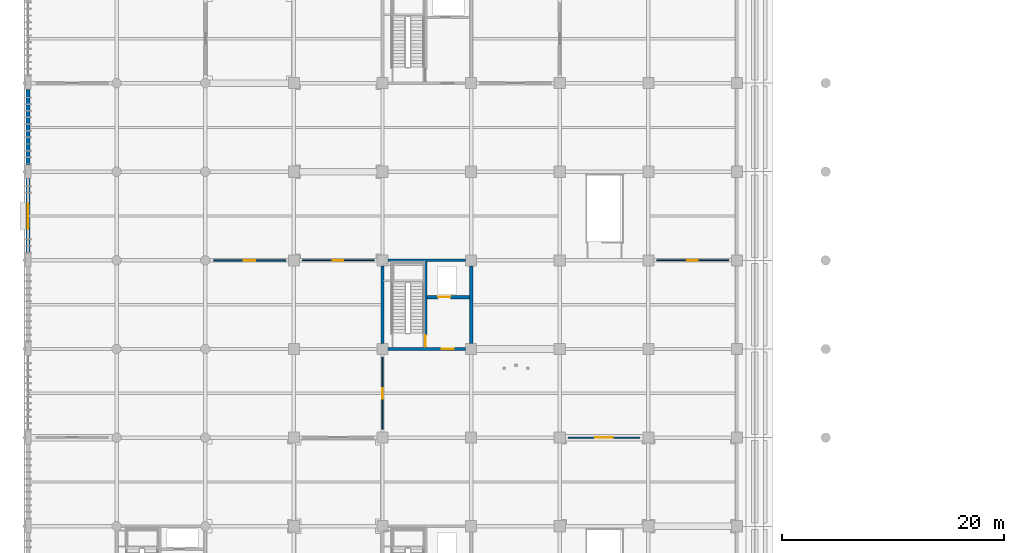
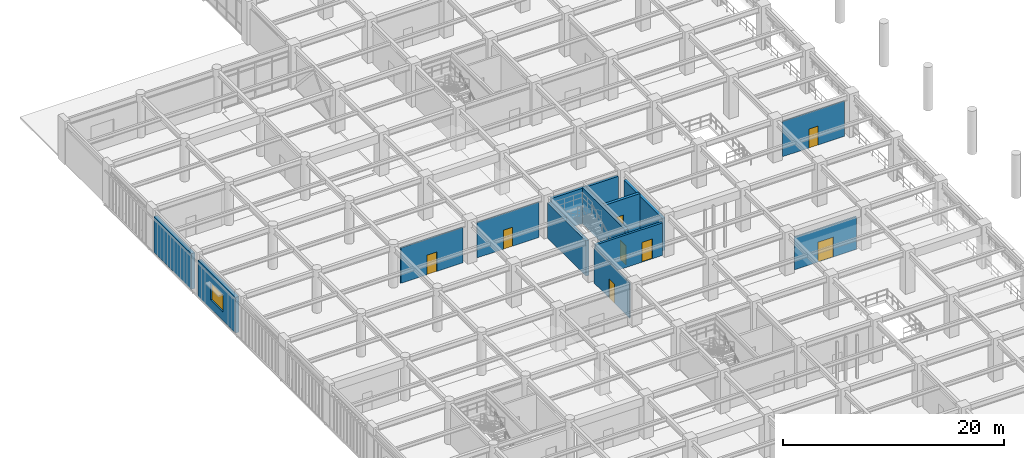
# One storey, part 75 of 117: 13 walls, 8 doors, 1 window, 9 openings.
"""IFC4 building model written with IfcOpenShell, lengths in metres."""

from ifc_helpers import new_model, si_unit, direction, frame, frame_2d, origin, place, context, subcontext, project, spatial, rectangle, extrude, material, layer, layer_set, type_object, element, fill, save


model = new_model("IFC4")

# Units and contexts
model_context = context("Model", 3, precision=1e-05, world=origin(), true_north=direction((0.0, 1.0)))
body_context = subcontext(model_context, "Body", "Model", "MODEL_VIEW")
ifc_project = project(units=[si_unit("LENGTHUNIT", "METRE"), si_unit("AREAUNIT", "SQUARE_METRE"), si_unit("VOLUMEUNIT", "CUBIC_METRE"), si_unit("PLANEANGLEUNIT", "RADIAN"), si_unit("MASSUNIT", "GRAM", prefix="KILO")], contexts=[model_context])

# Site, building, storey
site_placement = place(None, origin())
site = spatial("IfcSite", under=ifc_project, at=site_placement, CompositionType="ELEMENT")
building_placement = place(site_placement, origin())
building = spatial("IfcBuilding", under=site, at=building_placement, Name="Haebicheon Civic Stadium", CompositionType="ELEMENT")
storey_placement = place(building_placement, frame((0.0, 0.0, 4.800048828125)))
storey = spatial("IfcBuildingStorey", under=building, at=storey_placement, Name="L02", CompositionType="ELEMENT", Elevation=4.800048828125)

# Wall, opening, door
ifc_material_1 = material(Name="Concrete C40/50", Category="concrete")
ifc_layer_1 = layer(ifc_material_1, 0.239990234375, Name="Concrete C40/50")
ifc_layer_set_1 = layer_set([ifc_layer_1], Name="Concrete C40/50")
wall_type_1 = type_object("IfcWallType", Name="CW-SHR-240", PredefinedType="SHEAR", material=ifc_layer_set_1)
wall_1_placement = place(storey_placement, frame((32.5, 104.0, 0.0), z_axis=(0.0, 0.0, 1.0), x_axis=(1.0, 0.0, 0.0)))
wall_1 = element("IfcWall", 1, at=wall_1_placement, inside=storey, type_object=wall_type_1, material=ifc_layer_set_1, Name="KC-04 L02 south core shear wall", PredefinedType="SHEAR", context=body_context, shape_type="SweptSolid", body=[
    extrude(rectangle(XDim=7.0, YDim=0.239990234375, at=frame_2d((3.5, 0.0))), origin(), (0.0, 0.0, 1.0), 3.60986328125),
])
opening_1_placement = place(wall_1_placement, frame((4.85009765625, 0.0, 0.0)))
opening_1 = element("IfcOpeningElement", 2, at=opening_1_placement, cuts=wall_1, Name="Opening D-L02-KC-04-LOB", PredefinedType="OPENING", context=body_context, shape_type="SweptSolid", body=[
    extrude(rectangle(XDim=1.10009765625, YDim=2.199951171875, at=frame_2d((0.550048828125, 1.10009765625))), frame((0.0, 0.1298828125, 0.0), z_axis=(0.0, -1.0, 0.0), x_axis=(1.0, 0.0, 0.0)), (0.0, 0.0, 1.0), 0.260009765625),
])
ifc_material_2 = material(Name="Galvanised painted steel SM355", Category="steel")
door_type_1 = type_object("IfcDoorType", Name="ID-FD-1100", OperationType="NOTDEFINED", PredefinedType="DOOR", material=ifc_material_2)
door_1_placement = place(opening_1_placement, origin())
door_1 = element("IfcDoor", 3, at=door_1_placement, inside=storey, type_object=door_type_1, material=ifc_material_2, Name="L02 KC-04 lobby fire door", OperationType="SINGLE_SWING_RIGHT", OverallHeight=2.199951171875, OverallWidth=1.10009765625, PredefinedType="DOOR", context=body_context, shape_type="SweptSolid", body=[
    extrude(rectangle(XDim=1.10009765625, YDim=2.199951171875, at=frame_2d((0.550048828125, 1.10009765625))), frame((0.0, 0.02490234375, 0.0), z_axis=(0.0, -1.0, 0.0), x_axis=(1.0, 0.0, 0.0)), (0.0, 0.0, 1.0), 0.050048828125),
])
fill(opening_1, door_1)

# Walls
wall_2_placement = place(storey_placement, frame((32.5, 112.0, 0.0), z_axis=(0.0, 0.0, 1.0), x_axis=(1.0, 0.0, 0.0)))
element("IfcWall", 4, at=wall_2_placement, inside=storey, type_object=wall_type_1, material=ifc_layer_set_1, Name="KC-04 L02 north core shear wall", PredefinedType="SHEAR", context=body_context, shape_type="SweptSolid", body=[
    extrude(rectangle(XDim=7.0, YDim=0.239990234375, at=frame_2d((3.5, 0.0))), origin(), (0.0, 0.0, 1.0), 3.909912109375),
])
ifc_material_3 = material(Name="Concrete C40/50", Category="concrete")
ifc_layer_2 = layer(ifc_material_3, 0.300048828125, Name="Concrete C40/50")
ifc_layer_set_2 = layer_set([ifc_layer_2], Name="Concrete C40/50")
wall_type_2 = type_object("IfcWallType", Name="CW-SHR-300", PredefinedType="SHEAR", material=ifc_layer_set_2)
wall_3_placement = place(storey_placement, frame((32.0, 104.5, 0.0), z_axis=(0.0, 0.0, 1.0), x_axis=(0.0, 1.0, 0.0)))
element("IfcWall", 5, at=wall_3_placement, inside=storey, type_object=wall_type_2, material=ifc_layer_set_2, Name="KC-04 L02 west core shear wall", PredefinedType="SHEAR", context=body_context, shape_type="SweptSolid", body=[
    extrude(rectangle(XDim=7.0, YDim=0.300048828125, at=frame_2d((3.5, 0.0))), origin(), (0.0, 0.0, 1.0), 3.909912109375),
])
wall_4_placement = place(storey_placement, frame((40.0, 104.5, 0.0), z_axis=(0.0, 0.0, 1.0), x_axis=(0.0, 1.0, 0.0)))
element("IfcWall", 6, at=wall_4_placement, inside=storey, type_object=wall_type_2, material=ifc_layer_set_2, Name="KC-04 L02 east core shear wall", PredefinedType="SHEAR", context=body_context, shape_type="SweptSolid", body=[
    extrude(rectangle(XDim=7.0, YDim=0.300048828125, at=frame_2d((3.5, 0.0))), origin(), (0.0, 0.0, 1.0), 3.60986328125),
])

# Wall, opening, door
wall_5_placement = place(storey_placement, frame((35.8798828125, 104.1201171875, 0.0), z_axis=(0.0, 0.0, 1.0), x_axis=(0.0, 1.0, 0.0)))
wall_5 = element("IfcWall", 7, at=wall_5_placement, inside=storey, type_object=wall_type_2, material=ifc_layer_set_2, Name="KC-04 L02 stair-lobby dividing shear wall", PredefinedType="SHEAR", context=body_context, shape_type="SweptSolid", body=[
    extrude(rectangle(XDim=7.759765625, YDim=0.300048828125, at=frame_2d((3.8798828125, 0.0))), origin(), (0.0, 0.0, 1.0), 4.010009765625),
])
opening_2_placement = place(wall_5_placement, frame((0.080078125, 0.0, 0.0)))
opening_2 = element("IfcOpeningElement", 8, at=opening_2_placement, cuts=wall_5, Name="Opening D-L02-KC-04-STR", PredefinedType="OPENING", context=body_context, shape_type="SweptSolid", body=[
    extrude(rectangle(XDim=1.050048828125, YDim=2.14990234375, at=frame_2d((0.52490234375, 1.074951171875))), frame((0.0, 0.159912109375, 0.0), z_axis=(0.0, -1.0, 0.0), x_axis=(1.0, 0.0, 0.0)), (0.0, 0.0, 1.0), 0.320068359375),
])
ifc_material_4 = material(Name="Galvanised painted steel SM355", Category="steel")
door_type_2 = type_object("IfcDoorType", Name="ID-FD-1050", OperationType="NOTDEFINED", PredefinedType="DOOR", material=ifc_material_4)
door_2_placement = place(opening_2_placement, origin())
door_2 = element("IfcDoor", 9, at=door_2_placement, inside=storey, type_object=door_type_2, material=ifc_material_4, Name="L02 ST-04 stairwell escape door", OperationType="SINGLE_SWING_LEFT", OverallHeight=2.14990234375, OverallWidth=1.050048828125, PredefinedType="DOOR", context=body_context, shape_type="SweptSolid", body=[
    extrude(rectangle(XDim=1.050048828125, YDim=2.14990234375, at=frame_2d((0.52490234375, 1.074951171875))), frame((0.0, 0.02490234375, 0.0), z_axis=(0.0, -1.0, 0.0), x_axis=(1.0, 0.0, 0.0)), (0.0, 0.0, 1.0), 0.050048828125),
])
fill(opening_2, door_2)

wall_6_placement = place(storey_placement, frame((36.030029296875, 108.679931640625, 0.0), z_axis=(0.0, 0.0, 1.0), x_axis=(1.0, 0.0, 0.0)))
wall_6 = element("IfcWall", 10, at=wall_6_placement, inside=storey, type_object=wall_type_2, material=ifc_layer_set_2, Name="KC-04 L02 lift shaft front wall", PredefinedType="SHEAR", context=body_context, shape_type="SweptSolid", body=[
    extrude(rectangle(XDim=3.820068359375, YDim=0.300048828125, at=frame_2d((1.91015625, 0.0))), origin(), (0.0, 0.0, 1.0), 3.909912109375),
])
opening_3_placement = place(wall_6_placement, frame((1.0, 0.0, 0.0)))
opening_3 = element("IfcOpeningElement", 11, at=opening_3_placement, cuts=wall_6, Name="Opening LD-04-L02", PredefinedType="OPENING", context=body_context, shape_type="SweptSolid", body=[
    extrude(rectangle(XDim=1.10009765625, YDim=2.14990234375, at=frame_2d((0.550048828125, 1.074951171875))), frame((0.0, 0.159912109375, 0.0), z_axis=(0.0, -1.0, 0.0), x_axis=(1.0, 0.0, 0.0)), (0.0, 0.0, 1.0), 0.320068359375),
])
ifc_material_5 = material(Name="Stainless steel 316", Category="steel")
door_type_3 = type_object("IfcDoorType", Name="ID-LD-1100", OperationType="NOTDEFINED", PredefinedType="DOOR", material=ifc_material_5)
door_3_placement = place(opening_3_placement, origin())
door_3 = element("IfcDoor", 12, at=door_3_placement, inside=storey, type_object=door_type_3, material=ifc_material_5, Name="LF-04 lift landing sliding door L02", OperationType="SLIDING_TO_LEFT", OverallHeight=2.14990234375, OverallWidth=1.10009765625, PredefinedType="DOOR", context=body_context, shape_type="SweptSolid", body=[
    extrude(rectangle(XDim=1.10009765625, YDim=2.14990234375, at=frame_2d((0.550048828125, 1.074951171875))), frame((0.0, 0.02490234375, 0.0), z_axis=(0.0, -1.0, 0.0), x_axis=(1.0, 0.0, 0.0)), (0.0, 0.0, 1.0), 0.050048828125),
])
fill(opening_3, door_3)

# Wall, opening, window
ifc_material_6 = material(Name="Concrete C40/50", Category="concrete")
ifc_layer_3 = layer(ifc_material_6, 0.3798828125, Name="Concrete C40/50")
ifc_layer_set_3 = layer_set([ifc_layer_3], Name="Concrete C40/50")
wall_type_3 = type_object("IfcWallType", Name="EW-BM-380", PredefinedType="SOLIDWALL", material=ifc_layer_set_3)
wall_7_placement = place(storey_placement, frame((0.0, 112.60009765625, 0.0), z_axis=(0.0, 0.0, 1.0), x_axis=(0.0, 1.0, 0.0)))
wall_7 = element("IfcWall", 13, at=wall_7_placement, inside=storey, type_object=wall_type_3, material=ifc_layer_set_3, Name="L02 board-marked concrete facade wall 00-14-W", PredefinedType="SOLIDWALL", context=body_context, shape_type="SweptSolid", body=[
    extrude(rectangle(XDim=6.7998046875, YDim=0.3798828125, at=frame_2d((3.39990234375, 0.0))), origin(), (0.0, 0.0, 1.0), 3.949951171875),
])
opening_4_placement = place(wall_7_placement, frame((2.27490234375, 0.0, 0.949951171875)))
opening_4 = element("IfcOpeningElement", 14, at=opening_4_placement, cuts=wall_7, Name="Opening WIN-225x190", PredefinedType="OPENING", context=body_context, shape_type="SweptSolid", body=[
    extrude(rectangle(XDim=2.25, YDim=1.89990234375, at=frame_2d((1.125, 0.949951171875))), frame((0.0, 0.199951171875, 0.0), z_axis=(0.0, -1.0, 0.0), x_axis=(1.0, 0.0, 0.0)), (0.0, 0.0, 1.0), 0.39990234375),
])
ifc_material_7 = material(Name="Anodised aluminium and laminated glass", Category="aluminium")
window_type = type_object("IfcWindowType", Name="WIN-225x190", PartitioningType="SINGLE_PANEL", PredefinedType="WINDOW", material=ifc_material_7)
window_placement = place(opening_4_placement, origin())
window = element("IfcWindow", 15, at=window_placement, inside=storey, type_object=window_type, material=ifc_material_7, Name="L02 facade window 032", OverallHeight=1.89990234375, OverallWidth=2.25, PartitioningType="SINGLE_PANEL", PredefinedType="WINDOW", context=body_context, shape_type="SweptSolid", body=[
    extrude(rectangle(XDim=2.25, YDim=1.89990234375, at=frame_2d((1.125, 0.949951171875))), frame((0.0, 0.030029296875, 0.0), z_axis=(0.0, -1.0, 0.0), x_axis=(1.0, 0.0, 0.0)), (0.0, 0.0, 1.0), 0.06005859375),
])
fill(opening_4, window)

# Wall
wall_8_placement = place(storey_placement, frame((0.0, 120.60009765625, 0.0), z_axis=(0.0, 0.0, 1.0), x_axis=(0.0, 1.0, 0.0)))
element("IfcWall", 16, at=wall_8_placement, inside=storey, type_object=wall_type_3, material=ifc_layer_set_3, Name="L02 board-marked concrete facade wall 00-15-W", PredefinedType="SOLIDWALL", context=body_context, shape_type="SweptSolid", body=[
    extrude(rectangle(XDim=6.7998046875, YDim=0.3798828125, at=frame_2d((3.39990234375, 0.0))), origin(), (0.0, 0.0, 1.0), 3.949951171875),
])

# Wall, opening, door
ifc_material_8 = material(Name="Anodised aluminium and laminated glass", Category="aluminium")
ifc_layer_4 = layer(ifc_material_8, 0.10009765625, Name="Anodised aluminium and laminated glass")
ifc_layer_set_4 = layer_set([ifc_layer_4], Name="Anodised aluminium and laminated glass")
wall_type_4 = type_object("IfcWallType", Name="IW-PRT-100", PredefinedType="PARTITIONING", material=ifc_layer_set_4)
wall_9_placement = place(storey_placement, frame((24.75, 112.0, 0.0), z_axis=(0.0, 0.0, 1.0), x_axis=(1.0, 0.0, 0.0)))
wall_9 = element("IfcWall", 17, at=wall_9_placement, inside=storey, type_object=wall_type_4, material=ifc_layer_set_4, Name="L02 Food and Beverage Kiosk partition wall", PredefinedType="PARTITIONING", context=body_context, shape_type="SweptSolid", body=[
    extrude(rectangle(XDim=6.5, YDim=0.10009765625, at=frame_2d((3.25, 0.0))), origin(), (0.0, 0.0, 1.0), 3.909912109375),
])
opening_5_placement = place(wall_9_placement, frame((2.77490234375, 0.0, 0.0)))
opening_5 = element("IfcOpeningElement", 18, at=opening_5_placement, cuts=wall_9, Name="Opening D-L02-191", PredefinedType="OPENING", context=body_context, shape_type="SweptSolid", body=[
    extrude(rectangle(XDim=0.949951171875, YDim=2.10009765625, at=frame_2d((0.47509765625, 1.050048828125))), frame((0.0, 0.06005859375, 0.0), z_axis=(0.0, -1.0, 0.0), x_axis=(1.0, 0.0, 0.0)), (0.0, 0.0, 1.0), 0.1201171875),
])
ifc_material_9 = material(Name="Engineered hardwood timber", Category="wood")
door_type_4 = type_object("IfcDoorType", Name="ID-RM-0950", OperationType="NOTDEFINED", PredefinedType="DOOR", material=ifc_material_9)
door_4_placement = place(opening_5_placement, origin())
door_4 = element("IfcDoor", 19, at=door_4_placement, inside=storey, type_object=door_type_4, material=ifc_material_9, Name="L02 Food and Beverage Kiosk entrance door D-L02-191", OperationType="SINGLE_SWING_LEFT", OverallHeight=2.10009765625, OverallWidth=0.949951171875, PredefinedType="DOOR", context=body_context, shape_type="SweptSolid", body=[
    extrude(rectangle(XDim=0.949951171875, YDim=2.10009765625, at=frame_2d((0.47509765625, 1.050048828125))), frame((0.0, 0.02490234375, 0.0), z_axis=(0.0, -1.0, 0.0), x_axis=(1.0, 0.0, 0.0)), (0.0, 0.0, 1.0), 0.050048828125),
])
fill(opening_5, door_4)

wall_10_placement = place(storey_placement, frame((32.0, 96.75, 0.0), z_axis=(0.0, 0.0, 1.0), x_axis=(0.0, 1.0, 0.0)))
wall_10 = element("IfcWall", 20, at=wall_10_placement, inside=storey, type_object=wall_type_4, material=ifc_layer_set_4, Name="L02 First Aid Station partition wall", PredefinedType="PARTITIONING", context=body_context, shape_type="SweptSolid", body=[
    extrude(rectangle(XDim=6.5, YDim=0.10009765625, at=frame_2d((3.25, 0.0))), origin(), (0.0, 0.0, 1.0), 3.909912109375),
])
opening_6_placement = place(wall_10_placement, frame((2.77490234375, 0.0, 0.0)))
opening_6 = element("IfcOpeningElement", 21, at=opening_6_placement, cuts=wall_10, Name="Opening D-L02-197", PredefinedType="OPENING", context=body_context, shape_type="SweptSolid", body=[
    extrude(rectangle(XDim=0.949951171875, YDim=2.10009765625, at=frame_2d((0.47509765625, 1.050048828125))), frame((0.0, 0.06005859375, 0.0), z_axis=(0.0, -1.0, 0.0), x_axis=(1.0, 0.0, 0.0)), (0.0, 0.0, 1.0), 0.1201171875),
])
door_5_placement = place(opening_6_placement, origin())
door_5 = element("IfcDoor", 22, at=door_5_placement, inside=storey, type_object=door_type_4, material=ifc_material_9, Name="L02 First Aid Station entrance door D-L02-197", OperationType="SINGLE_SWING_LEFT", OverallHeight=2.10009765625, OverallWidth=0.949951171875, PredefinedType="DOOR", context=body_context, shape_type="SweptSolid", body=[
    extrude(rectangle(XDim=0.949951171875, YDim=2.10009765625, at=frame_2d((0.47509765625, 1.050048828125))), frame((0.0, 0.02490234375, 0.0), z_axis=(0.0, -1.0, 0.0), x_axis=(1.0, 0.0, 0.0)), (0.0, 0.0, 1.0), 0.050048828125),
])
fill(opening_6, door_5)

wall_11_placement = place(storey_placement, frame((56.75, 112.0, 0.0), z_axis=(0.0, 0.0, 1.0), x_axis=(1.0, 0.0, 0.0)))
wall_11 = element("IfcWall", 23, at=wall_11_placement, inside=storey, type_object=wall_type_4, material=ifc_layer_set_4, Name="L02 Food and Beverage Kiosk partition wall", PredefinedType="PARTITIONING", context=body_context, shape_type="SweptSolid", body=[
    extrude(rectangle(XDim=6.5, YDim=0.10009765625, at=frame_2d((3.25, 0.0))), origin(), (0.0, 0.0, 1.0), 3.909912109375),
])
opening_7_placement = place(wall_11_placement, frame((2.77490234375, 0.0, 0.0)))
opening_7 = element("IfcOpeningElement", 24, at=opening_7_placement, cuts=wall_11, Name="Opening D-L02-205", PredefinedType="OPENING", context=body_context, shape_type="SweptSolid", body=[
    extrude(rectangle(XDim=0.949951171875, YDim=2.10009765625, at=frame_2d((0.47509765625, 1.050048828125))), frame((0.0, 0.06005859375, 0.0), z_axis=(0.0, -1.0, 0.0), x_axis=(1.0, 0.0, 0.0)), (0.0, 0.0, 1.0), 0.1201171875),
])
door_6_placement = place(opening_7_placement, origin())
door_6 = element("IfcDoor", 25, at=door_6_placement, inside=storey, type_object=door_type_4, material=ifc_material_9, Name="L02 Food and Beverage Kiosk entrance door D-L02-205", OperationType="SINGLE_SWING_LEFT", OverallHeight=2.10009765625, OverallWidth=0.949951171875, PredefinedType="DOOR", context=body_context, shape_type="SweptSolid", body=[
    extrude(rectangle(XDim=0.949951171875, YDim=2.10009765625, at=frame_2d((0.47509765625, 1.050048828125))), frame((0.0, 0.02490234375, 0.0), z_axis=(0.0, -1.0, 0.0), x_axis=(1.0, 0.0, 0.0)), (0.0, 0.0, 1.0), 0.050048828125),
])
fill(opening_7, door_6)

ifc_material_10 = material(Name="Gypsum plasterboard on steel studs", Category="gypsum")
ifc_layer_5 = layer(ifc_material_10, 0.14990234375, Name="Gypsum plasterboard on steel studs")
ifc_layer_set_5 = layer_set([ifc_layer_5], Name="Gypsum plasterboard on steel studs")
wall_type_5 = type_object("IfcWallType", Name="IW-PRT-150", PredefinedType="PARTITIONING", material=ifc_layer_set_5)
wall_12_placement = place(storey_placement, frame((48.75, 96.0, 0.0), z_axis=(0.0, 0.0, 1.0), x_axis=(1.0, 0.0, 0.0)))
wall_12 = element("IfcWall", 26, at=wall_12_placement, inside=storey, type_object=wall_type_5, material=ifc_layer_set_5, Name="L02 Family Viewing Lounge partition wall", PredefinedType="PARTITIONING", context=body_context, shape_type="SweptSolid", body=[
    extrude(rectangle(XDim=6.5, YDim=0.14990234375, at=frame_2d((3.25, 0.0))), origin(), (0.0, 0.0, 1.0), 3.60986328125),
])
opening_8_placement = place(wall_12_placement, frame((2.449951171875, 0.0, 0.0)))
opening_8 = element("IfcOpeningElement", 27, at=opening_8_placement, cuts=wall_12, Name="Opening D-L02-204", PredefinedType="OPENING", context=body_context, shape_type="SweptSolid", body=[
    extrude(rectangle(XDim=1.60009765625, YDim=2.199951171875, at=frame_2d((0.800048828125, 1.10009765625))), frame((0.0, 0.0849609375, 0.0), z_axis=(0.0, -1.0, 0.0), x_axis=(1.0, 0.0, 0.0)), (0.0, 0.0, 1.0), 0.169921875),
])
ifc_material_11 = material(Name="Anodised aluminium and laminated glass", Category="aluminium")
door_type_5 = type_object("IfcDoorType", Name="ID-DBL-1600", OperationType="NOTDEFINED", PredefinedType="DOOR", material=ifc_material_11)
door_7_placement = place(opening_8_placement, origin())
door_7 = element("IfcDoor", 28, at=door_7_placement, inside=storey, type_object=door_type_5, material=ifc_material_11, Name="L02 Family Viewing Lounge entrance door D-L02-204", OperationType="DOUBLE_SWING_LEFT", OverallHeight=2.199951171875, OverallWidth=1.60009765625, PredefinedType="DOOR", context=body_context, shape_type="SweptSolid", body=[
    extrude(rectangle(XDim=1.60009765625, YDim=2.199951171875, at=frame_2d((0.800048828125, 1.10009765625))), frame((0.0, 0.02490234375, 0.0), z_axis=(0.0, -1.0, 0.0), x_axis=(1.0, 0.0, 0.0)), (0.0, 0.0, 1.0), 0.050048828125),
])
fill(opening_8, door_7)

wall_13_placement = place(storey_placement, frame((16.75, 112.0, 0.0), z_axis=(0.0, 0.0, 1.0), x_axis=(1.0, 0.0, 0.0)))
wall_13 = element("IfcWall", 29, at=wall_13_placement, inside=storey, type_object=wall_type_5, material=ifc_layer_set_5, Name="L02 Ticketing Administration Suite partition wall", PredefinedType="PARTITIONING", context=body_context, shape_type="SweptSolid", body=[
    extrude(rectangle(XDim=6.5, YDim=0.14990234375, at=frame_2d((3.25, 0.0))), origin(), (0.0, 0.0, 1.0), 3.909912109375),
])
opening_9_placement = place(wall_13_placement, frame((2.72509765625, 0.0, 0.0)))
opening_9 = element("IfcOpeningElement", 30, at=opening_9_placement, cuts=wall_13, Name="Opening D-L02-255", PredefinedType="OPENING", context=body_context, shape_type="SweptSolid", body=[
    extrude(rectangle(XDim=1.050048828125, YDim=2.14990234375, at=frame_2d((0.52490234375, 1.074951171875))), frame((0.0, 0.0849609375, 0.0), z_axis=(0.0, -1.0, 0.0), x_axis=(1.0, 0.0, 0.0)), (0.0, 0.0, 1.0), 0.169921875),
])
ifc_material_12 = material(Name="Engineered hardwood timber", Category="wood")
door_type_6 = type_object("IfcDoorType", Name="ID-RM-1050", OperationType="NOTDEFINED", PredefinedType="DOOR", material=ifc_material_12)
door_8_placement = place(opening_9_placement, origin())
door_8 = element("IfcDoor", 31, at=door_8_placement, inside=storey, type_object=door_type_6, material=ifc_material_12, Name="L02 Ticketing Administration Suite entrance door D-L02-255", OperationType="SINGLE_SWING_RIGHT", OverallHeight=2.14990234375, OverallWidth=1.050048828125, PredefinedType="DOOR", context=body_context, shape_type="SweptSolid", body=[
    extrude(rectangle(XDim=1.050048828125, YDim=2.14990234375, at=frame_2d((0.52490234375, 1.074951171875))), frame((0.0, 0.02490234375, 0.0), z_axis=(0.0, -1.0, 0.0), x_axis=(1.0, 0.0, 0.0)), (0.0, 0.0, 1.0), 0.050048828125),
])
fill(opening_9, door_8)

save(model, "model.ifc")
